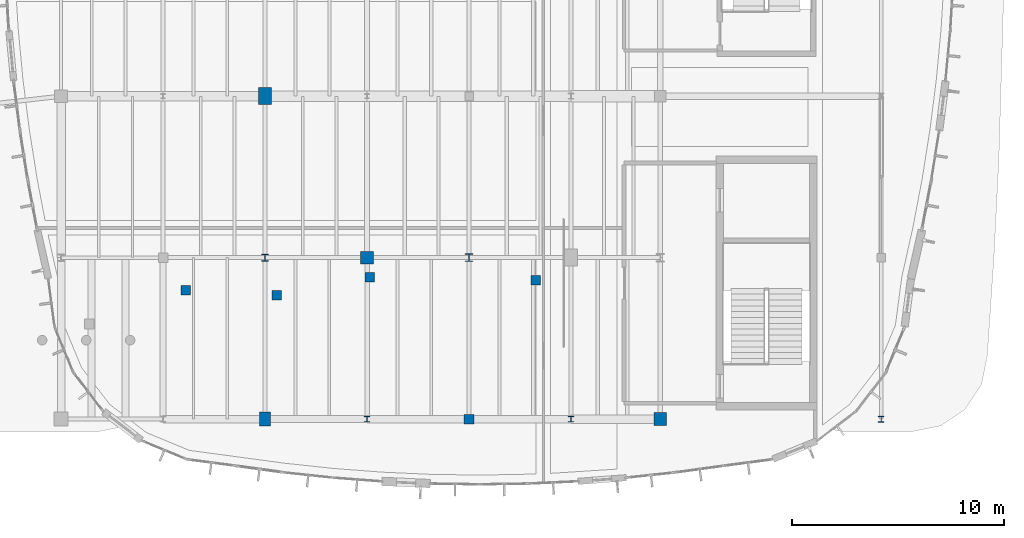
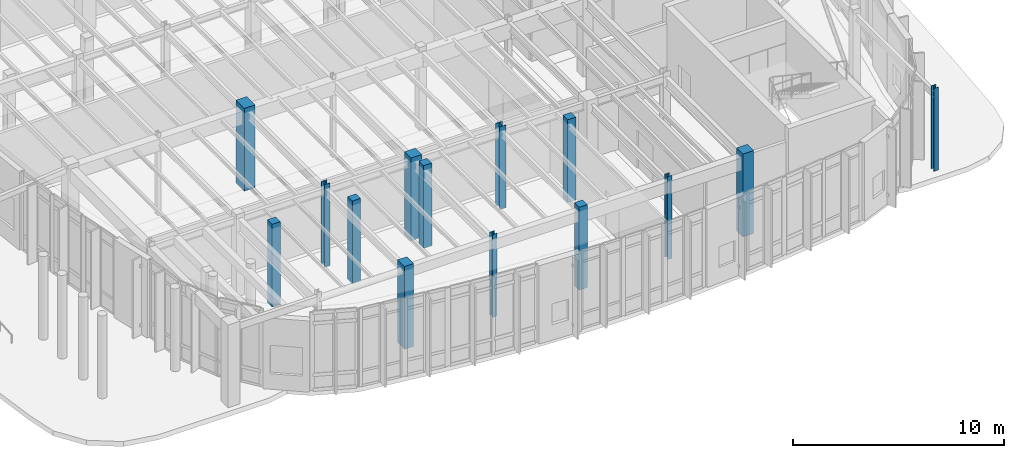
# One storey, part 15 of 120: 14 columns.
"""IFC4 building model written with IfcOpenShell, lengths in metres."""

from ifc_helpers import new_model, si_unit, direction, frame, origin, origin_2d, place, context, subcontext, project, spatial, rectangle, i_section, extrude, material, material_profile, profile_set, type_object, element, save


model = new_model("IFC4")

# Units and contexts
model_context = context("Model", 3, precision=1e-05, world=origin(), true_north=direction((0.0, 1.0)))
body_context = subcontext(model_context, "Body", "Model", "MODEL_VIEW")
ifc_project = project(units=[si_unit("LENGTHUNIT", "METRE"), si_unit("AREAUNIT", "SQUARE_METRE"), si_unit("VOLUMEUNIT", "CUBIC_METRE"), si_unit("PLANEANGLEUNIT", "RADIAN"), si_unit("MASSUNIT", "GRAM", prefix="KILO")], contexts=[model_context])

# Site, building, storey
site_placement = place(None, origin())
site = spatial("IfcSite", under=ifc_project, at=site_placement, CompositionType="ELEMENT")
building_placement = place(site_placement, origin())
building = spatial("IfcBuilding", under=site, at=building_placement, Name="Corveleigh Park Community Centre", CompositionType="ELEMENT")
storey_placement = place(building_placement, origin())
storey = spatial("IfcBuildingStorey", under=building, at=storey_placement, Name="L00", CompositionType="ELEMENT", Elevation=0.0)

# Columns
ifc_material_1 = material(Name="Concrete C40/50", Category="concrete")
ifc_material_profile_1 = material_profile(ifc_material_1, rectangle(XDim=0.449951171875, YDim=0.449951171875, at=origin_2d()), Name="RC-450x450", Category="concrete")
ifc_profile_set_1 = profile_set([ifc_material_profile_1], Name="Concrete C40/50")
column_type_1 = type_object("IfcColumnType", Name="COL-RC-450x450", PredefinedType="COLUMN", material=ifc_profile_set_1)
for number, where, z_axis, x_axis, name in (
    (1, (149.0, 58.60009765625, 0.0), (0.0, 0.0, 1.0), (1.0, 0.0, 0.0), "Column V4-X4Y0 L00"),
    (2, (135.674072265625, 64.6640625, 0.0), (0.0, 0.0, 1.0), (1.0, 0.0, 0.0), "External deck support pier 131 L00"),
    (3, (139.94091796875, 64.424072265625, 0.0), (0.0, 0.0, 1.0), (1.0, 0.0, 0.0), "External deck support pier 135 L00"),
    (4, (144.3291015625, 65.27294921875, 0.0), (0.0, 0.0, 1.0), (1.0, 0.0, 0.0), "External deck support pier 137 L00"),
    (5, (152.14697265625, 65.14404296875, 0.0), (0.0, 0.0, 1.0), (1.0, 0.0, 0.0), "External deck support pier 139 L00"),
):
    element("IfcColumn", number, at=place(storey_placement, frame(where, z_axis=z_axis, x_axis=x_axis)), inside=storey, type_object=column_type_1, Name=name, PredefinedType="COLUMN", context=body_context, shape_type="SweptSolid", body=[
        extrude(rectangle(XDim=0.449951171875, YDim=0.449951171875, at=origin_2d()), origin(), (0.0, 0.0, 1.0), 4.800048828125),
    ])
ifc_material_profile_2 = material_profile(ifc_material_1, rectangle(XDim=0.5, YDim=0.64990234375, at=origin_2d()), Name="RC-500x650", Category="concrete")
ifc_profile_set_2 = profile_set([ifc_material_profile_2], Name="Concrete C40/50")
column_type_2 = type_object("IfcColumnType", Name="COL-RC-500x650", PredefinedType="COLUMN", material=ifc_profile_set_2)
column_1_placement = place(storey_placement, frame((139.39990234375, 58.60009765625, 0.0), z_axis=(0.0, 0.0, 1.0), x_axis=(1.0, 0.0, 0.0)))
element("IfcColumn", 6, at=column_1_placement, inside=storey, type_object=column_type_2, Name="Column V4-X2Y0 L00", PredefinedType="COLUMN", context=body_context, shape_type="SweptSolid", body=[
    extrude(rectangle(XDim=0.5, YDim=0.64990234375, at=origin_2d()), origin(), (0.0, 0.0, 1.0), 4.800048828125),
])
ifc_material_profile_3 = material_profile(ifc_material_1, rectangle(XDim=0.60009765625, YDim=0.60009765625, at=origin_2d()), Name="RC-600x600", Category="concrete")
ifc_profile_set_3 = profile_set([ifc_material_profile_3], Name="Concrete C40/50")
column_type_3 = type_object("IfcColumnType", Name="COL-RC-600x600", PredefinedType="COLUMN", material=ifc_profile_set_3)
for number, where, z_axis, x_axis, name in (
    (7, (144.199951171875, 66.199951171875, 0.0), (0.0, 0.0, 1.0), (1.0, 0.0, 0.0), "Column V4-X3Y1 L00"),
    (8, (158.0, 58.60009765625, 0.0), (0.0, 0.0, 1.0), (1.0, 0.0, 0.0), "Column V4-X6Y0 L00"),
):
    element("IfcColumn", number, at=place(storey_placement, frame(where, z_axis=z_axis, x_axis=x_axis)), inside=storey, type_object=column_type_3, Name=name, PredefinedType="COLUMN", context=body_context, shape_type="SweptSolid", body=[
        extrude(rectangle(XDim=0.60009765625, YDim=0.60009765625, at=origin_2d()), origin(), (0.0, 0.0, 1.0), 4.800048828125),
    ])
ifc_material_profile_4 = material_profile(ifc_material_1, rectangle(XDim=0.60009765625, YDim=0.800048828125, at=origin_2d()), Name="RC-600x800", Category="concrete")
ifc_profile_set_4 = profile_set([ifc_material_profile_4], Name="Concrete C40/50")
column_type_4 = type_object("IfcColumnType", Name="COL-RC-600x800", PredefinedType="COLUMN", material=ifc_profile_set_4)
column_2_placement = place(storey_placement, frame((139.39990234375, 73.800048828125, 0.0), z_axis=(0.0, 0.0, 1.0), x_axis=(1.0, 0.0, 0.0)))
element("IfcColumn", 9, at=column_2_placement, inside=storey, type_object=column_type_4, Name="Column V4-X2Y2 L00", PredefinedType="COLUMN", context=body_context, shape_type="SweptSolid", body=[
    extrude(rectangle(XDim=0.60009765625, YDim=0.800048828125, at=origin_2d()), origin(), (0.0, 0.0, 1.0), 4.800048828125),
])
ifc_material_2 = material(Name="Steel S355", Category="steel")
ifc_material_profile_5 = material_profile(ifc_material_2, i_section(OverallWidth=0.2587890625, OverallDepth=0.2666015625, WebThickness=0.0126953125, FlangeThickness=0.0205078125, at=origin_2d()), Name="UKC 254x254x107", Category="steel")
ifc_profile_set_5 = profile_set([ifc_material_profile_5], Name="Steel S355")
column_type_5 = type_object("IfcColumnType", Name="COL-STL-UKC254x107", PredefinedType="COLUMN", material=ifc_profile_set_5)
column_3_placement = place(storey_placement, frame((153.800048828125, 58.60009765625, 0.0), z_axis=(0.0, 0.0, 1.0), x_axis=(1.0, 0.0, 0.0)))
element("IfcColumn", 10, at=column_3_placement, inside=storey, type_object=column_type_5, Name="Column V4-X5Y0 L00", PredefinedType="COLUMN", context=body_context, shape_type="SweptSolid", body=[
    extrude(i_section(OverallWidth=0.2587890625, OverallDepth=0.2666015625, WebThickness=0.0126953125, FlangeThickness=0.0205078125, at=origin_2d()), origin(), (0.0, 0.0, 1.0), 4.800048828125),
])
ifc_material_profile_6 = material_profile(ifc_material_2, i_section(OverallWidth=0.26123046875, OverallDepth=0.2763671875, WebThickness=0.015380859375, FlangeThickness=0.025390625, at=origin_2d()), Name="UKC 254x254x132", Category="steel")
ifc_profile_set_6 = profile_set([ifc_material_profile_6], Name="Steel S355")
column_type_6 = type_object("IfcColumnType", Name="COL-STL-UKC254x132", PredefinedType="COLUMN", material=ifc_profile_set_6)
column_4_placement = place(storey_placement, frame((168.39990234375, 58.60009765625, 0.0), z_axis=(0.0, 0.0, 1.0), x_axis=(1.0, 0.0, 0.0)))
element("IfcColumn", 11, at=column_4_placement, inside=storey, type_object=column_type_6, Name="Column V4-X7Y0 L00", PredefinedType="COLUMN", context=body_context, shape_type="SweptSolid", body=[
    extrude(i_section(OverallWidth=0.26123046875, OverallDepth=0.2763671875, WebThickness=0.015380859375, FlangeThickness=0.025390625, at=origin_2d()), origin(), (0.0, 0.0, 1.0), 4.800048828125),
])
ifc_material_profile_7 = material_profile(ifc_material_2, i_section(OverallWidth=0.25634765625, OverallDepth=0.26025390625, WebThickness=0.01025390625, FlangeThickness=0.017333984375, at=origin_2d()), Name="UKC 254x254x89", Category="steel")
ifc_profile_set_7 = profile_set([ifc_material_profile_7], Name="Steel S355")
column_type_7 = type_object("IfcColumnType", Name="COL-STL-UKC254x89", PredefinedType="COLUMN", material=ifc_profile_set_7)
column_5_placement = place(storey_placement, frame((144.199951171875, 58.60009765625, 0.0), z_axis=(0.0, 0.0, 1.0), x_axis=(1.0, 0.0, 0.0)))
element("IfcColumn", 12, at=column_5_placement, inside=storey, type_object=column_type_7, Name="Column V4-X3Y0 L00", PredefinedType="COLUMN", context=body_context, shape_type="SweptSolid", body=[
    extrude(i_section(OverallWidth=0.25634765625, OverallDepth=0.26025390625, WebThickness=0.01025390625, FlangeThickness=0.017333984375, at=origin_2d()), origin(), (0.0, 0.0, 1.0), 4.800048828125),
])
ifc_material_profile_8 = material_profile(ifc_material_2, i_section(OverallWidth=0.311279296875, OverallDepth=0.3271484375, WebThickness=0.015869140625, FlangeThickness=0.02490234375, at=origin_2d()), Name="UKC 305x305x158", Category="steel")
ifc_profile_set_8 = profile_set([ifc_material_profile_8], Name="Steel S355")
column_type_8 = type_object("IfcColumnType", Name="COL-STL-UKC305x158", PredefinedType="COLUMN", material=ifc_profile_set_8)
column_6_placement = place(storey_placement, frame((139.39990234375, 66.199951171875, 0.0), z_axis=(0.0, 0.0, 1.0), x_axis=(1.0, 0.0, 0.0)))
element("IfcColumn", 13, at=column_6_placement, inside=storey, type_object=column_type_8, Name="Column V4-X2Y1 L00", PredefinedType="COLUMN", context=body_context, shape_type="SweptSolid", body=[
    extrude(i_section(OverallWidth=0.311279296875, OverallDepth=0.3271484375, WebThickness=0.015869140625, FlangeThickness=0.02490234375, at=origin_2d()), origin(), (0.0, 0.0, 1.0), 4.800048828125),
])
ifc_material_profile_9 = material_profile(ifc_material_2, i_section(OverallWidth=0.37060546875, OverallDepth=0.362060546875, WebThickness=0.01220703125, FlangeThickness=0.020751953125, at=origin_2d()), Name="UKC 356x368x153", Category="steel")
ifc_profile_set_9 = profile_set([ifc_material_profile_9], Name="Steel S355")
column_type_9 = type_object("IfcColumnType", Name="COL-STL-UKC356x153", PredefinedType="COLUMN", material=ifc_profile_set_9)
column_7_placement = place(storey_placement, frame((149.0, 66.199951171875, 0.0), z_axis=(0.0, 0.0, 1.0), x_axis=(1.0, 0.0, 0.0)))
element("IfcColumn", 14, at=column_7_placement, inside=storey, type_object=column_type_9, Name="Column V4-X4Y1 L00", PredefinedType="COLUMN", context=body_context, shape_type="SweptSolid", body=[
    extrude(i_section(OverallWidth=0.37060546875, OverallDepth=0.362060546875, WebThickness=0.01220703125, FlangeThickness=0.020751953125, at=origin_2d()), origin(), (0.0, 0.0, 1.0), 4.800048828125),
])

save(model, "model.ifc")
